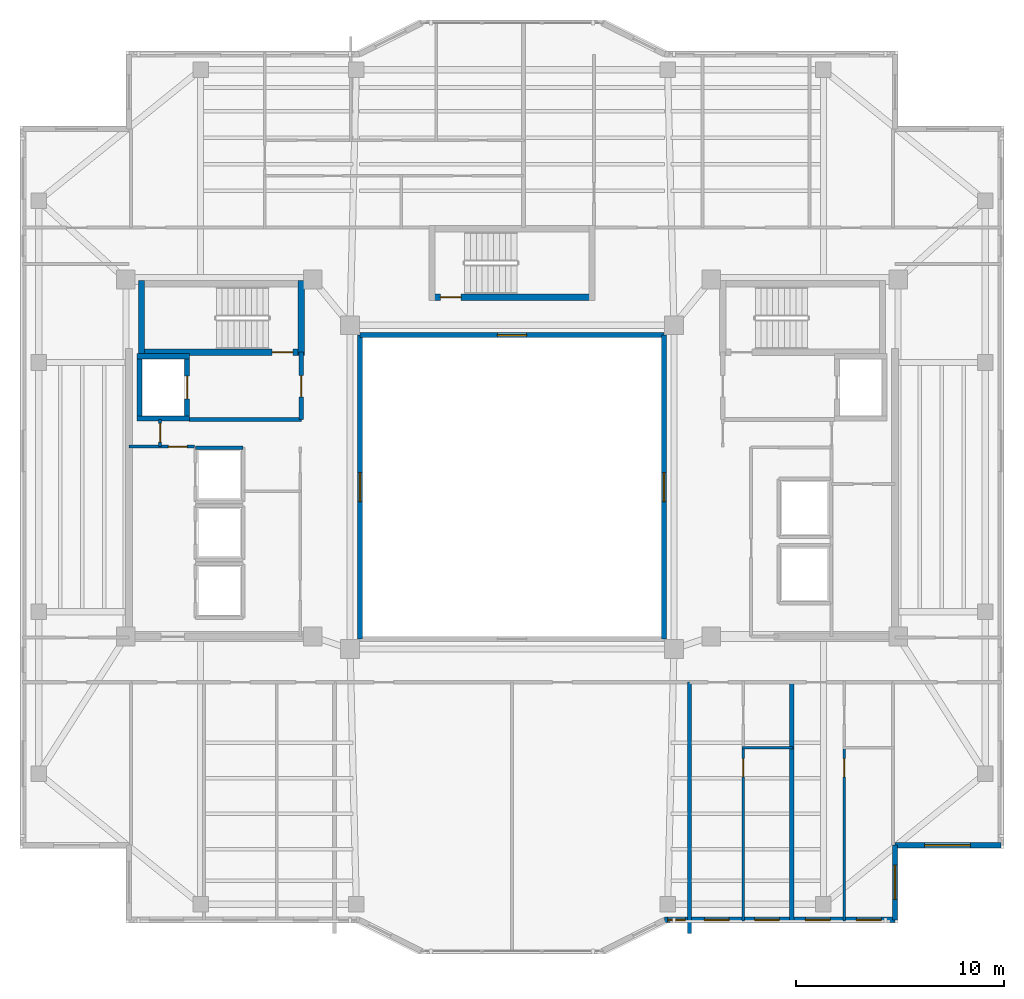
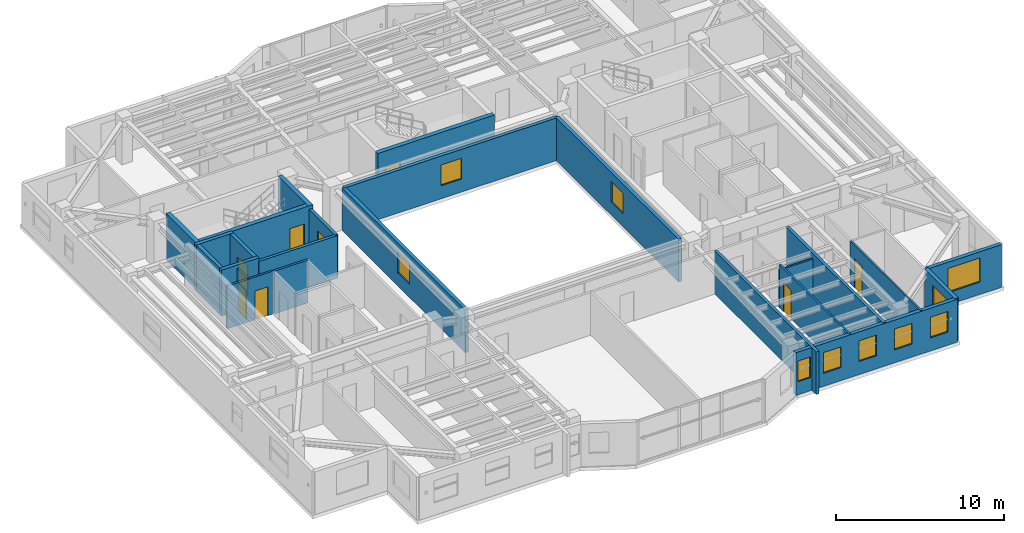
# One storey, part 7 of 13: 24 walls, 10 windows, 8 doors, 18 openings.
"""IFC4 building model written with IfcOpenShell, lengths in metres."""

from ifc_helpers import new_model, si_unit, direction, frame, frame_2d, origin, place, context, subcontext, project, spatial, rectangle, extrude, material, layer, layer_set, type_object, element, fill, save


model = new_model("IFC4")

# Units and contexts
model_context = context("Model", 3, precision=1e-05, world=origin(), true_north=direction((0.0, 1.0)))
body_context = subcontext(model_context, "Body", "Model", "MODEL_VIEW")
ifc_project = project(units=[si_unit("LENGTHUNIT", "METRE"), si_unit("AREAUNIT", "SQUARE_METRE"), si_unit("VOLUMEUNIT", "CUBIC_METRE"), si_unit("PLANEANGLEUNIT", "RADIAN"), si_unit("MASSUNIT", "GRAM", prefix="KILO")], contexts=[model_context])

# Site, building, storey
site_placement = place(None, origin())
site = spatial("IfcSite", under=ifc_project, at=site_placement, CompositionType="ELEMENT")
building_placement = place(site_placement, origin())
building = spatial("IfcBuilding", under=site, at=building_placement, Name="Tarnavaz Court Tower", CompositionType="ELEMENT")
storey_placement = place(building_placement, frame((0.0, 0.0, 196.949951171875)))
storey = spatial("IfcBuildingStorey", under=building, at=storey_placement, Name="L53", CompositionType="ELEMENT", Elevation=196.949951171875)

# Wall
ifc_material_1 = material(Name="Concrete C50/60", Category="concrete")
ifc_layer_1 = layer(ifc_material_1, 0.25)
ifc_layer_set_1 = layer_set([ifc_layer_1], Name="Concrete C50/60")
wall_type_1 = type_object("IfcWallType", Name="WL-CORE-250-C50", PredefinedType="SHEAR", material=ifc_layer_set_1)
wall_1_placement = place(storey_placement, frame((-17.949951171875, 3.175048828125, 0.0), z_axis=(0.0, 0.0, 1.0), x_axis=(0.0, 1.0, 0.0)))
element("IfcWall", 1, at=wall_1_placement, inside=storey, type_object=wall_type_1, Name="L53 Lift FL-W1 Shaft Wall 017", PredefinedType="SHEAR", context=body_context, shape_type="SweptSolid", body=[
    extrude(rectangle(XDim=3.25, YDim=0.25, at=frame_2d((1.625, 0.0))), origin(), (0.0, 0.0, 1.0), 3.35009765625),
])

# Wall, opening, door
wall_2_placement = place(storey_placement, frame((-15.64990234375, 3.175048828125, 0.0), z_axis=(0.0, 0.0, 1.0), x_axis=(0.0, 1.0, 0.0)))
wall_2 = element("IfcWall", 2, at=wall_2_placement, inside=storey, type_object=wall_type_1, Name="L53 Lift FL-W1 Shaft Wall 018", PredefinedType="SHEAR", context=body_context, shape_type="SweptSolid", body=[
    extrude(rectangle(XDim=3.25, YDim=0.25, at=frame_2d((1.625, 0.0))), origin(), (0.0, 0.0, 1.0), 3.35009765625),
])
opening_1_placement = place(wall_2_placement, frame((1.074951171875, 0.0, 0.0)))
opening_1 = element("IfcOpeningElement", 3, at=opening_1_placement, cuts=wall_2, Name="Opening LD1", PredefinedType="OPENING", context=body_context, shape_type="SweptSolid", body=[
    extrude(rectangle(XDim=1.10009765625, YDim=2.14990234375, at=frame_2d((0.550048828125, 1.074951171875))), frame((0.0, 0.135009765625, 0.0), z_axis=(0.0, -1.0, 0.0), x_axis=(1.0, 0.0, 0.0)), (0.0, 0.0, 1.0), 0.27001953125),
])
ifc_material_2 = material(Name="Stainless Steel", Category="steel")
door_type_1 = type_object("IfcDoorType", Name="DR-LD-1100", OperationType="NOTDEFINED", PredefinedType="DOOR", material=ifc_material_2)
door_1_placement = place(opening_1_placement, origin())
door_1 = element("IfcDoor", 4, at=door_1_placement, inside=storey, type_object=door_type_1, Name="L53 Lift Landing Door LD-FL-W1", OperationType="SLIDING_TO_LEFT", OverallHeight=2.14990234375, OverallWidth=1.10009765625, PredefinedType="DOOR", context=body_context, shape_type="SweptSolid", body=[
    extrude(rectangle(XDim=1.10009765625, YDim=2.14990234375, at=frame_2d((0.550048828125, 1.074951171875))), frame((0.0, 0.02490234375, 0.0), z_axis=(0.0, -1.0, 0.0), x_axis=(1.0, 0.0, 0.0)), (0.0, 0.0, 1.0), 0.050048828125),
])
fill(opening_1, door_1)

# Walls
for number, where, z_axis, x_axis, name in (
    (5, (-18.074951171875, 3.300048828125, 0.0), (0.0, 0.0, 1.0), (1.0, 0.0, 0.0), "L53 Lift FL-W1 Shaft Wall 019"),
    (6, (-18.074951171875, 6.300048828125, 0.0), (0.0, 0.0, 1.0), (1.0, 0.0, 0.0), "L53 Lift FL-W1 Shaft Wall 020"),
):
    element("IfcWall", number, at=place(storey_placement, frame(where, z_axis=z_axis, x_axis=x_axis)), inside=storey, type_object=wall_type_1, Name=name, PredefinedType="SHEAR", context=body_context, shape_type="SweptSolid", body=[
        extrude(rectangle(XDim=2.550048828125, YDim=0.25, at=frame_2d((1.27490234375, 0.0))), origin(), (0.0, 0.0, 1.0), 3.35009765625),
    ])

# Wall, opening, door
ifc_layer_2 = layer(ifc_material_1, 0.300048828125)
ifc_layer_set_2 = layer_set([ifc_layer_2], Name="Concrete C50/60")
wall_type_2 = type_object("IfcWallType", Name="WL-CORE-300-C50", PredefinedType="SHEAR", material=ifc_layer_set_2)
wall_3_placement = place(storey_placement, frame((-18.0, 6.5, 0.0), z_axis=(0.0, 0.0, 1.0), x_axis=(1.0, 0.0, 0.0)))
wall_3 = element("IfcWall", 7, at=wall_3_placement, inside=storey, type_object=wall_type_2, Name="L53 West Stair Core Wall 002", PredefinedType="SHEAR", context=body_context, shape_type="SweptSolid", body=[
    extrude(rectangle(XDim=8.0, YDim=0.300048828125, at=frame_2d((4.0, 0.0))), origin(), (0.0, 0.0, 1.0), 3.35009765625),
])
opening_2_placement = place(wall_3_placement, frame((6.449951171875, 0.0, 0.0)))
opening_2 = element("IfcOpeningElement", 8, at=opening_2_placement, cuts=wall_3, Name="Opening D01", PredefinedType="OPENING", context=body_context, shape_type="SweptSolid", body=[
    extrude(rectangle(XDim=1.0, YDim=2.14990234375, at=frame_2d((0.5, 1.074951171875))), frame((0.0, 0.159912109375, 0.0), z_axis=(0.0, -1.0, 0.0), x_axis=(1.0, 0.0, 0.0)), (0.0, 0.0, 1.0), 0.320068359375),
])
ifc_material_3 = material(Name="Fire-Rated Hardwood Timber Core", Category="wood")
door_type_2 = type_object("IfcDoorType", Name="DR-FD90-1000", OperationType="NOTDEFINED", PredefinedType="DOOR", material=ifc_material_3)
door_2_placement = place(opening_2_placement, origin())
door_2 = element("IfcDoor", 9, at=door_2_placement, inside=storey, type_object=door_type_2, Name="L53 Stair ST-W1 Exit Door", OperationType="SINGLE_SWING_LEFT", OverallHeight=2.14990234375, OverallWidth=1.0, PredefinedType="DOOR", context=body_context, shape_type="SweptSolid", body=[
    extrude(rectangle(XDim=1.0, YDim=2.14990234375, at=frame_2d((0.5, 1.074951171875))), frame((0.0, 0.02490234375, 0.0), z_axis=(0.0, -1.0, 0.0), x_axis=(1.0, 0.0, 0.0)), (0.0, 0.0, 1.0), 0.050048828125),
])
fill(opening_2, door_2)

# Walls
for number, where, z_axis, x_axis, name in (
    (10, (-17.85009765625, 6.35009765625, 0.0), (0.0, 0.0, 1.0), (0.0, 1.0, 0.0), "L53 West Stair Core Wall 003"),
    (11, (-10.14990234375, 6.35009765625, 0.0), (0.0, 0.0, 1.0), (0.0, 1.0, 0.0), "L53 West Stair Core Wall 004"),
):
    element("IfcWall", number, at=place(storey_placement, frame(where, z_axis=z_axis, x_axis=x_axis)), inside=storey, type_object=wall_type_2, Name=name, PredefinedType="SHEAR", context=body_context, shape_type="SweptSolid", body=[
        extrude(rectangle(XDim=3.58984375, YDim=0.300048828125, at=frame_2d((1.794921875, 0.0))), origin(), (0.0, 0.0, 1.0), 3.35009765625),
    ])

# Wall, opening, door
wall_4_placement = place(storey_placement, frame((-4.0, 9.14990234375, 0.0), z_axis=(0.0, 0.0, 1.0), x_axis=(1.0, 0.0, 0.0)))
wall_4 = element("IfcWall", 12, at=wall_4_placement, inside=storey, type_object=wall_type_2, Name="L53 North Stair Core Wall 010", PredefinedType="SHEAR", context=body_context, shape_type="SweptSolid", body=[
    extrude(rectangle(XDim=8.0, YDim=0.300048828125, at=frame_2d((4.0, 0.0))), origin(), (0.0, 0.0, 1.0), 3.35009765625),
])
opening_3_placement = place(wall_4_placement, frame((0.550048828125, 0.0, 0.0)))
opening_3 = element("IfcOpeningElement", 13, at=opening_3_placement, cuts=wall_4, Name="Opening D01", PredefinedType="OPENING", context=body_context, shape_type="SweptSolid", body=[
    extrude(rectangle(XDim=1.0, YDim=2.14990234375, at=frame_2d((0.5, 1.074951171875))), frame((0.0, 0.159912109375, 0.0), z_axis=(0.0, -1.0, 0.0), x_axis=(1.0, 0.0, 0.0)), (0.0, 0.0, 1.0), 0.320068359375),
])
door_3_placement = place(opening_3_placement, origin())
door_3 = element("IfcDoor", 14, at=door_3_placement, inside=storey, type_object=door_type_2, Name="L53 Stair ST-N1 Exit Door", OperationType="SINGLE_SWING_LEFT", OverallHeight=2.14990234375, OverallWidth=1.0, PredefinedType="DOOR", context=body_context, shape_type="SweptSolid", body=[
    extrude(rectangle(XDim=1.0, YDim=2.14990234375, at=frame_2d((0.5, 1.074951171875))), frame((0.0, 0.02490234375, 0.0), z_axis=(0.0, -1.0, 0.0), x_axis=(1.0, 0.0, 0.0)), (0.0, 0.0, 1.0), 0.050048828125),
])
fill(opening_3, door_3)

# Wall, opening, window
ifc_material_4 = material(Name="Precast Concrete C40/50", Category="concrete")
ifc_layer_3 = layer(ifc_material_4, 0.260009765625)
ifc_layer_set_3 = layer_set([ifc_layer_3], Name="Precast Concrete C40/50")
wall_type_3 = type_object("IfcWallType", Name="WL-EXT-260", PredefinedType="SOLIDWALL", material=ifc_layer_set_3)
wall_5_placement = place(storey_placement, frame((23.550048828125, -17.25, 0.0), z_axis=(0.0, 0.0, 1.0), x_axis=(-1.0, 0.0, 0.0)))
wall_5 = element("IfcWall", 15, at=wall_5_placement, inside=storey, type_object=wall_type_3, Name="L53 Exterior Terracotta Facade Wall 13", PredefinedType="SOLIDWALL", context=body_context, shape_type="SweptSolid", body=[
    extrude(rectangle(XDim=5.10009765625, YDim=0.260009765625, at=frame_2d((2.550048828125, 0.0))), origin(), (0.0, 0.0, 1.0), 3.10009765625),
])
opening_4_placement = place(wall_5_placement, frame((1.47509765625, 0.0, 0.89990234375)))
opening_4 = element("IfcOpeningElement", 16, at=opening_4_placement, cuts=wall_5, Name="Opening W07", PredefinedType="OPENING", context=body_context, shape_type="SweptSolid", body=[
    extrude(rectangle(XDim=2.199951171875, YDim=1.75, at=frame_2d((1.10009765625, 0.875))), frame((0.0, 0.139892578125, 0.0), z_axis=(0.0, -1.0, 0.0), x_axis=(1.0, 0.0, 0.0)), (0.0, 0.0, 1.0), 0.280029296875),
])
ifc_material_5 = material(Name="Double-Glazed Solar Low-E Glass", Category="glass")
window_type_1 = type_object("IfcWindowType", Name="WN-APT-2200", PartitioningType="TRIPLE_PANEL_VERTICAL", PredefinedType="WINDOW", material=ifc_material_5)
window_1_placement = place(opening_4_placement, origin())
window_1 = element("IfcWindow", 17, at=window_1_placement, inside=storey, type_object=window_type_1, Name="L53 South-East Corner Reading Room Window", OverallHeight=1.75, OverallWidth=2.199951171875, PartitioningType="SINGLE_PANEL", PredefinedType="WINDOW", context=body_context, shape_type="SweptSolid", body=[
    extrude(rectangle(XDim=2.199951171875, YDim=1.75, at=frame_2d((1.10009765625, 0.875))), frame((0.0, 0.030029296875, 0.0), z_axis=(0.0, -1.0, 0.0), x_axis=(1.0, 0.0, 0.0)), (0.0, 0.0, 1.0), 0.06005859375),
])
fill(opening_4, window_1)

wall_6_placement = place(storey_placement, frame((18.449951171875, -17.25, 0.0), z_axis=(0.0, 0.0, 1.0), x_axis=(0.0, -1.0, 0.0)))
wall_6 = element("IfcWall", 18, at=wall_6_placement, inside=storey, type_object=wall_type_3, Name="L53 Exterior Terracotta Facade Wall 14", PredefinedType="SOLIDWALL", context=body_context, shape_type="SweptSolid", body=[
    extrude(rectangle(XDim=3.60009765625, YDim=0.260009765625, at=frame_2d((1.800048828125, 0.0))), origin(), (0.0, 0.0, 1.0), 3.10009765625),
])
opening_5_placement = place(wall_6_placement, frame((0.95751953125, 0.0, 0.89990234375)))
opening_5 = element("IfcOpeningElement", 19, at=opening_5_placement, cuts=wall_6, Name="Opening W02", PredefinedType="OPENING", context=body_context, shape_type="SweptSolid", body=[
    extrude(rectangle(XDim=1.64990234375, YDim=1.60009765625, at=frame_2d((0.824951171875, 0.800048828125))), frame((0.0, 0.139892578125, 0.0), z_axis=(0.0, -1.0, 0.0), x_axis=(1.0, 0.0, 0.0)), (0.0, 0.0, 1.0), 0.280029296875),
])
window_type_2 = type_object("IfcWindowType", Name="WN-APT-1650", PartitioningType="DOUBLE_PANEL_VERTICAL", PredefinedType="WINDOW", material=ifc_material_5)
window_2_placement = place(opening_5_placement, origin())
window_2 = element("IfcWindow", 20, at=window_2_placement, inside=storey, type_object=window_type_2, Name="L53 Flat 03 Kitchen Window", OverallHeight=1.60009765625, OverallWidth=1.64990234375, PartitioningType="SINGLE_PANEL", PredefinedType="WINDOW", context=body_context, shape_type="SweptSolid", body=[
    extrude(rectangle(XDim=1.64990234375, YDim=1.60009765625, at=frame_2d((0.824951171875, 0.800048828125))), frame((0.0, 0.030029296875, 0.0), z_axis=(0.0, -1.0, 0.0), x_axis=(1.0, 0.0, 0.0)), (0.0, 0.0, 1.0), 0.06005859375),
])
fill(opening_5, window_2)

# Wall, openings, windows
wall_7_placement = place(storey_placement, frame((18.449951171875, -20.85009765625, 0.0), z_axis=(0.0, 0.0, 1.0), x_axis=(-1.0, 0.0, 0.0)))
wall_7 = element("IfcWall", 21, at=wall_7_placement, inside=storey, type_object=wall_type_3, Name="L53 Exterior Terracotta Facade Wall 15", PredefinedType="SOLIDWALL", context=body_context, shape_type="SweptSolid", body=[
    extrude(rectangle(XDim=11.099853515625, YDim=0.260009765625, at=frame_2d((5.5498046875, 0.0))), origin(), (0.0, 0.0, 1.0), 3.10009765625),
])
opening_6_placement = place(wall_7_placement, frame((0.65576171875, 0.0, 0.949951171875)))
opening_6 = element("IfcOpeningElement", 22, at=opening_6_placement, cuts=wall_7, Name="Opening W05", PredefinedType="OPENING", context=body_context, shape_type="SweptSolid", body=[
    extrude(rectangle(XDim=1.199951171875, YDim=1.5, at=frame_2d((0.60009765625, 0.75))), frame((0.0, 0.139892578125, 0.0), z_axis=(0.0, -1.0, 0.0), x_axis=(1.0, 0.0, 0.0)), (0.0, 0.0, 1.0), 0.280029296875),
])
opening_7_placement = place(wall_7_placement, frame((3.11669921875, 0.0, 0.949951171875)))
opening_7 = element("IfcOpeningElement", 23, at=opening_7_placement, cuts=wall_7, Name="Opening W05", PredefinedType="OPENING", context=body_context, shape_type="SweptSolid", body=[
    extrude(rectangle(XDim=1.199951171875, YDim=1.5, at=frame_2d((0.60009765625, 0.75))), frame((0.0, 0.139892578125, 0.0), z_axis=(0.0, -1.0, 0.0), x_axis=(1.0, 0.0, 0.0)), (0.0, 0.0, 1.0), 0.280029296875),
])
opening_8_placement = place(wall_7_placement, frame((5.56591796875, 0.0, 0.949951171875)))
opening_8 = element("IfcOpeningElement", 24, at=opening_8_placement, cuts=wall_7, Name="Opening W05", PredefinedType="OPENING", context=body_context, shape_type="SweptSolid", body=[
    extrude(rectangle(XDim=1.199951171875, YDim=1.5, at=frame_2d((0.60009765625, 0.75))), frame((0.0, 0.139892578125, 0.0), z_axis=(0.0, -1.0, 0.0), x_axis=(1.0, 0.0, 0.0)), (0.0, 0.0, 1.0), 0.280029296875),
])
opening_9_placement = place(wall_7_placement, frame((7.98876953125, 0.0, 0.949951171875)))
opening_9 = element("IfcOpeningElement", 25, at=opening_9_placement, cuts=wall_7, Name="Opening W05", PredefinedType="OPENING", context=body_context, shape_type="SweptSolid", body=[
    extrude(rectangle(XDim=1.199951171875, YDim=1.5, at=frame_2d((0.60009765625, 0.75))), frame((0.0, 0.139892578125, 0.0), z_axis=(0.0, -1.0, 0.0), x_axis=(1.0, 0.0, 0.0)), (0.0, 0.0, 1.0), 0.280029296875),
])
opening_10_placement = place(wall_7_placement, frame((10.1025390625, 0.0, 0.949951171875)))
opening_10 = element("IfcOpeningElement", 26, at=opening_10_placement, cuts=wall_7, Name="Opening W15", PredefinedType="OPENING", context=body_context, shape_type="SweptSolid", body=[
    extrude(rectangle(XDim=0.85009765625, YDim=1.5, at=frame_2d((0.425048828125, 0.75))), frame((0.0, 0.139892578125, 0.0), z_axis=(0.0, -1.0, 0.0), x_axis=(1.0, 0.0, 0.0)), (0.0, 0.0, 1.0), 0.280029296875),
])
window_type_3 = type_object("IfcWindowType", Name="WN-APT-1200", PartitioningType="SINGLE_PANEL", PredefinedType="WINDOW", material=ifc_material_5)
window_3_placement = place(opening_6_placement, origin())
window_3 = element("IfcWindow", 27, at=window_3_placement, inside=storey, type_object=window_type_3, Name="L53 Flat 03 Kitchen Window", OverallHeight=1.5, OverallWidth=1.199951171875, PartitioningType="SINGLE_PANEL", PredefinedType="WINDOW", context=body_context, shape_type="SweptSolid", body=[
    extrude(rectangle(XDim=1.199951171875, YDim=1.5, at=frame_2d((0.60009765625, 0.75))), frame((0.0, 0.030029296875, 0.0), z_axis=(0.0, -1.0, 0.0), x_axis=(1.0, 0.0, 0.0)), (0.0, 0.0, 1.0), 0.06005859375),
])
fill(opening_6, window_3)
window_4_placement = place(opening_7_placement, origin())
window_4 = element("IfcWindow", 28, at=window_4_placement, inside=storey, type_object=window_type_3, Name="L53 Flat 03 Studio Living and Sleeping Room Window", OverallHeight=1.5, OverallWidth=1.199951171875, PartitioningType="SINGLE_PANEL", PredefinedType="WINDOW", context=body_context, shape_type="SweptSolid", body=[
    extrude(rectangle(XDim=1.199951171875, YDim=1.5, at=frame_2d((0.60009765625, 0.75))), frame((0.0, 0.030029296875, 0.0), z_axis=(0.0, -1.0, 0.0), x_axis=(1.0, 0.0, 0.0)), (0.0, 0.0, 1.0), 0.06005859375),
])
fill(opening_7, window_4)
window_5_placement = place(opening_8_placement, origin())
window_5 = element("IfcWindow", 29, at=window_5_placement, inside=storey, type_object=window_type_3, Name="L53 Flat 02 Kitchen Window", OverallHeight=1.5, OverallWidth=1.199951171875, PartitioningType="SINGLE_PANEL", PredefinedType="WINDOW", context=body_context, shape_type="SweptSolid", body=[
    extrude(rectangle(XDim=1.199951171875, YDim=1.5, at=frame_2d((0.60009765625, 0.75))), frame((0.0, 0.030029296875, 0.0), z_axis=(0.0, -1.0, 0.0), x_axis=(1.0, 0.0, 0.0)), (0.0, 0.0, 1.0), 0.06005859375),
])
fill(opening_8, window_5)
window_6_placement = place(opening_9_placement, origin())
window_6 = element("IfcWindow", 30, at=window_6_placement, inside=storey, type_object=window_type_3, Name="L53 Flat 02 Studio Living and Sleeping Room Window", OverallHeight=1.5, OverallWidth=1.199951171875, PartitioningType="SINGLE_PANEL", PredefinedType="WINDOW", context=body_context, shape_type="SweptSolid", body=[
    extrude(rectangle(XDim=1.199951171875, YDim=1.5, at=frame_2d((0.60009765625, 0.75))), frame((0.0, 0.030029296875, 0.0), z_axis=(0.0, -1.0, 0.0), x_axis=(1.0, 0.0, 0.0)), (0.0, 0.0, 1.0), 0.06005859375),
])
fill(opening_9, window_6)
window_type_4 = type_object("IfcWindowType", Name="WN-APT-850", PartitioningType="SINGLE_PANEL", PredefinedType="WINDOW", material=ifc_material_5)
window_7_placement = place(opening_10_placement, origin())
window_7 = element("IfcWindow", 31, at=window_7_placement, inside=storey, type_object=window_type_4, Name="L53 South Courtyard Reading Room Window", OverallHeight=1.5, OverallWidth=0.85009765625, PartitioningType="SINGLE_PANEL", PredefinedType="WINDOW", context=body_context, shape_type="SweptSolid", body=[
    extrude(rectangle(XDim=0.85009765625, YDim=1.5, at=frame_2d((0.425048828125, 0.75))), frame((0.0, 0.030029296875, 0.0), z_axis=(0.0, -1.0, 0.0), x_axis=(1.0, 0.0, 0.0)), (0.0, 0.0, 1.0), 0.06005859375),
])
fill(opening_10, window_7)

# Wall
ifc_material_6 = material(Name="Autoclaved Aerated Concrete Blockwork", Category="masonry")
ifc_layer_4 = layer(ifc_material_6, 0.199951171875)
ifc_layer_set_4 = layer_set([ifc_layer_4], Name="Autoclaved Aerated Concrete Blockwork")
wall_type_4 = type_object("IfcWallType", Name="WL-FIRE-200", PredefinedType="SOLIDWALL", material=ifc_layer_set_4)
wall_8_placement = place(storey_placement, frame((-15.550048828125, 3.25, 0.0), z_axis=(0.0, 0.0, 1.0), x_axis=(1.0, 0.0, 0.0)))
element("IfcWall", 32, at=wall_8_placement, inside=storey, type_object=wall_type_4, Name="L53 West Firefighting Lobby Wall 013", PredefinedType="SOLIDWALL", context=body_context, shape_type="SweptSolid", body=[
    extrude(rectangle(XDim=5.400146484375, YDim=0.199951171875, at=frame_2d((2.7001953125, 0.0))), origin(), (0.0, 0.0, 1.0), 3.10009765625),
])

# Wall, opening, door
wall_9_placement = place(storey_placement, frame((-10.14990234375, 3.25, 0.0), z_axis=(0.0, 0.0, 1.0), x_axis=(0.0, 1.0, 0.0)))
wall_9 = element("IfcWall", 33, at=wall_9_placement, inside=storey, type_object=wall_type_4, Name="L53 West Firefighting Lobby Wall 014", PredefinedType="SOLIDWALL", context=body_context, shape_type="SweptSolid", body=[
    extrude(rectangle(XDim=3.25, YDim=0.199951171875, at=frame_2d((1.625, 0.0))), origin(), (0.0, 0.0, 1.0), 3.10009765625),
])
opening_11_placement = place(wall_9_placement, frame((1.10009765625, 0.0, 0.0)))
opening_11 = element("IfcOpeningElement", 34, at=opening_11_placement, cuts=wall_9, Name="Opening D05", PredefinedType="OPENING", context=body_context, shape_type="SweptSolid", body=[
    extrude(rectangle(XDim=1.02001953125, YDim=2.14990234375, at=frame_2d((0.510009765625, 1.074951171875))), frame((0.0, 0.10986328125, 0.0), z_axis=(0.0, -1.0, 0.0), x_axis=(1.0, 0.0, 0.0)), (0.0, 0.0, 1.0), 0.219970703125),
])
door_type_3 = type_object("IfcDoorType", Name="DR-FD60-1000", OperationType="NOTDEFINED", PredefinedType="DOOR", material=ifc_material_3)
door_4_placement = place(opening_11_placement, origin())
door_4 = element("IfcDoor", 35, at=door_4_placement, inside=storey, type_object=door_type_3, Name="L53 West Firefighting Lobby Door", OperationType="SINGLE_SWING_RIGHT", OverallHeight=2.14990234375, OverallWidth=1.02001953125, PredefinedType="DOOR", context=body_context, shape_type="SweptSolid", body=[
    extrude(rectangle(XDim=1.02001953125, YDim=2.14990234375, at=frame_2d((0.510009765625, 1.074951171875))), frame((0.0, 0.02490234375, 0.0), z_axis=(0.0, -1.0, 0.0), x_axis=(1.0, 0.0, 0.0)), (0.0, 0.0, 1.0), 0.050048828125),
])
fill(opening_11, door_4)

# Walls
wall_10_placement = place(storey_placement, frame((13.47509765625, -20.89990234375, 0.0), z_axis=(0.0, 0.0, 1.0), x_axis=(0.0, 1.0, 0.0)))
element("IfcWall", 36, at=wall_10_placement, inside=storey, type_object=wall_type_4, Name="L53 Party Wall 077", PredefinedType="SOLIDWALL", context=body_context, shape_type="SweptSolid", body=[
    extrude(rectangle(XDim=11.5, YDim=0.199951171875, at=frame_2d((5.75, 0.0))), origin(), (0.0, 0.0, 1.0), 3.10009765625),
])
wall_11_placement = place(storey_placement, frame((8.550048828125, -21.50390625, 0.0), z_axis=(0.0, 0.0, 1.0), x_axis=(0.0, 1.0, 0.0)))
element("IfcWall", 37, at=wall_11_placement, inside=storey, type_object=wall_type_4, Name="L53 Party Wall 085", PredefinedType="SOLIDWALL", context=body_context, shape_type="SweptSolid", body=[
    extrude(rectangle(XDim=12.10400390625, YDim=0.199951171875, at=frame_2d((6.052001953125, 0.0))), origin(), (0.0, 0.0, 1.0), 3.10009765625),
])

# Wall, opening, door
ifc_material_7 = material(Name="Moisture-Resistant Gypsum Board Partition", Category="masonry")
ifc_layer_5 = layer(ifc_material_7, 0.1201171875)
ifc_layer_set_5 = layer_set([ifc_layer_5], Name="Moisture-Resistant Gypsum Board Partition")
wall_type_5 = type_object("IfcWallType", Name="WL-PART-120", PredefinedType="PARTITIONING", material=ifc_layer_set_5)
wall_12_placement = place(storey_placement, frame((11.133056640625, -20.89990234375, 0.0), z_axis=(0.0, 0.0, 1.0), x_axis=(0.0, 1.0, 0.0)))
wall_12 = element("IfcWall", 38, at=wall_12_placement, inside=storey, type_object=wall_type_5, Name="L53 Interior Partition 078", PredefinedType="PARTITIONING", context=body_context, shape_type="SweptSolid", body=[
    extrude(rectangle(XDim=8.33984375, YDim=0.1201171875, at=frame_2d((4.169921875, 0.0))), origin(), (0.0, 0.0, 1.0), 3.10009765625),
])
opening_12_placement = place(wall_12_placement, frame((6.93994140625, 0.0, 0.0)))
opening_12 = element("IfcOpeningElement", 39, at=opening_12_placement, cuts=wall_12, Name="Opening D14", PredefinedType="OPENING", context=body_context, shape_type="SweptSolid", body=[
    extrude(rectangle(XDim=0.8798828125, YDim=2.10009765625, at=frame_2d((0.43994140625, 1.050048828125))), frame((0.0, 0.070068359375, 0.0), z_axis=(0.0, -1.0, 0.0), x_axis=(1.0, 0.0, 0.0)), (0.0, 0.0, 1.0), 0.14013671875),
])
ifc_material_8 = material(Name="Engineered Oak Timber", Category="wood")
door_type_4 = type_object("IfcDoorType", Name="DR-INT-900", OperationType="NOTDEFINED", PredefinedType="DOOR", material=ifc_material_8)
door_5_placement = place(opening_12_placement, origin())
door_5 = element("IfcDoor", 40, at=door_5_placement, inside=storey, type_object=door_type_4, Name="L53 Flat 02 Kitchen Door", OperationType="SINGLE_SWING_LEFT", OverallHeight=2.10009765625, OverallWidth=0.8798828125, PredefinedType="DOOR", context=body_context, shape_type="SweptSolid", body=[
    extrude(rectangle(XDim=0.8798828125, YDim=2.10009765625, at=frame_2d((0.43994140625, 1.050048828125))), frame((0.0, 0.02490234375, 0.0), z_axis=(0.0, -1.0, 0.0), x_axis=(1.0, 0.0, 0.0)), (0.0, 0.0, 1.0), 0.050048828125),
])
fill(opening_12, door_5)

# Wall
wall_13_placement = place(storey_placement, frame((11.072998046875, -12.56005859375, 0.0), z_axis=(0.0, 0.0, 1.0), x_axis=(1.0, 0.0, 0.0)))
element("IfcWall", 41, at=wall_13_placement, inside=storey, type_object=wall_type_5, Name="L53 Interior Partition 080", PredefinedType="PARTITIONING", context=body_context, shape_type="SweptSolid", body=[
    extrude(rectangle(XDim=2.4619140625, YDim=0.1201171875, at=frame_2d((1.23095703125, 0.0))), origin(), (0.0, 0.0, 1.0), 2.72509765625),
])

# Wall, opening, door
wall_14_placement = place(storey_placement, frame((16.008056640625, -20.89990234375, 0.0), z_axis=(0.0, 0.0, 1.0), x_axis=(0.0, 1.0, 0.0)))
wall_14 = element("IfcWall", 42, at=wall_14_placement, inside=storey, type_object=wall_type_5, Name="L53 Interior Partition 081", PredefinedType="PARTITIONING", context=body_context, shape_type="SweptSolid", body=[
    extrude(rectangle(XDim=8.33984375, YDim=0.1201171875, at=frame_2d((4.169921875, 0.0))), origin(), (0.0, 0.0, 1.0), 3.10009765625),
])
opening_13_placement = place(wall_14_placement, frame((6.93994140625, 0.0, 0.0)))
opening_13 = element("IfcOpeningElement", 43, at=opening_13_placement, cuts=wall_14, Name="Opening D14", PredefinedType="OPENING", context=body_context, shape_type="SweptSolid", body=[
    extrude(rectangle(XDim=0.8798828125, YDim=2.10009765625, at=frame_2d((0.43994140625, 1.050048828125))), frame((0.0, 0.070068359375, 0.0), z_axis=(0.0, -1.0, 0.0), x_axis=(1.0, 0.0, 0.0)), (0.0, 0.0, 1.0), 0.14013671875),
])
door_6_placement = place(opening_13_placement, origin())
door_6 = element("IfcDoor", 44, at=door_6_placement, inside=storey, type_object=door_type_4, Name="L53 Flat 03 Kitchen Door", OperationType="SINGLE_SWING_RIGHT", OverallHeight=2.10009765625, OverallWidth=0.8798828125, PredefinedType="DOOR", context=body_context, shape_type="SweptSolid", body=[
    extrude(rectangle(XDim=0.8798828125, YDim=2.10009765625, at=frame_2d((0.43994140625, 1.050048828125))), frame((0.0, 0.02490234375, 0.0), z_axis=(0.0, -1.0, 0.0), x_axis=(1.0, 0.0, 0.0)), (0.0, 0.0, 1.0), 0.050048828125),
])
fill(opening_13, door_6)

ifc_material_9 = material(Name="Gypsum Plasterboard Acoustic Partition", Category="masonry")
ifc_layer_6 = layer(ifc_material_9, 0.139892578125)
ifc_layer_set_6 = layer_set([ifc_layer_6], Name="Gypsum Plasterboard Acoustic Partition")
wall_type_6 = type_object("IfcWallType", Name="WL-PART-150", PredefinedType="PARTITIONING", material=ifc_layer_set_6)
wall_15_placement = place(storey_placement, frame((-18.449951171875, 1.949951171875, 0.0), z_axis=(0.0, 0.0, 1.0), x_axis=(1.0, 0.0, 0.0)))
wall_15 = element("IfcWall", 45, at=wall_15_placement, inside=storey, type_object=wall_type_6, Name="L53 Interior Partition 049", PredefinedType="PARTITIONING", context=body_context, shape_type="SweptSolid", body=[
    extrude(rectangle(XDim=3.14990234375, YDim=0.139892578125, at=frame_2d((1.574951171875, 0.0))), origin(), (0.0, 0.0, 1.0), 3.10009765625),
])
opening_14_placement = place(wall_15_placement, frame((1.89990234375, 0.0, 0.0)))
opening_14 = element("IfcOpeningElement", 46, at=opening_14_placement, cuts=wall_15, Name="Opening D09", PredefinedType="OPENING", context=body_context, shape_type="SweptSolid", body=[
    extrude(rectangle(XDim=0.89990234375, YDim=2.080078125, at=frame_2d((0.449951171875, 1.0400390625))), frame((0.0, 0.079833984375, 0.0), z_axis=(0.0, -1.0, 0.0), x_axis=(1.0, 0.0, 0.0)), (0.0, 0.0, 1.0), 0.159912109375),
])
door_type_5 = type_object("IfcDoorType", Name="DR-FD30-900", OperationType="NOTDEFINED", PredefinedType="DOOR", material=ifc_material_3)
door_7_placement = place(opening_14_placement, origin())
door_7 = element("IfcDoor", 47, at=door_7_placement, inside=storey, type_object=door_type_5, Name="L53 West Sky Store Door", OperationType="SINGLE_SWING_RIGHT", OverallHeight=2.080078125, OverallWidth=0.89990234375, PredefinedType="DOOR", context=body_context, shape_type="SweptSolid", body=[
    extrude(rectangle(XDim=0.89990234375, YDim=2.080078125, at=frame_2d((0.449951171875, 1.0400390625))), frame((0.0, 0.02490234375, 0.0), z_axis=(0.0, -1.0, 0.0), x_axis=(1.0, 0.0, 0.0)), (0.0, 0.0, 1.0), 0.050048828125),
])
fill(opening_14, door_7)

wall_16_placement = place(storey_placement, frame((-16.949951171875, 1.949951171875, 0.0), z_axis=(0.0, 0.0, 1.0), x_axis=(0.0, 1.0, 0.0)))
wall_16 = element("IfcWall", 48, at=wall_16_placement, inside=storey, type_object=wall_type_6, Name="L53 Interior Partition 050", PredefinedType="PARTITIONING", context=body_context, shape_type="SweptSolid", body=[
    extrude(rectangle(XDim=1.300048828125, YDim=0.139892578125, at=frame_2d((0.64990234375, 0.0))), origin(), (0.0, 0.0, 1.0), 3.10009765625),
])
opening_15_placement = place(wall_16_placement, frame((0.219970703125, 0.0, 0.0)))
opening_15 = element("IfcOpeningElement", 49, at=opening_15_placement, cuts=wall_16, Name="Opening D09", PredefinedType="OPENING", context=body_context, shape_type="SweptSolid", body=[
    extrude(rectangle(XDim=0.89990234375, YDim=2.080078125, at=frame_2d((0.449951171875, 1.0400390625))), frame((0.0, 0.079833984375, 0.0), z_axis=(0.0, -1.0, 0.0), x_axis=(1.0, 0.0, 0.0)), (0.0, 0.0, 1.0), 0.159912109375),
])
door_8_placement = place(opening_15_placement, origin())
door_8 = element("IfcDoor", 50, at=door_8_placement, inside=storey, type_object=door_type_5, Name="L53 West Sky BMS Room Door", OperationType="SINGLE_SWING_LEFT", OverallHeight=2.080078125, OverallWidth=0.89990234375, PredefinedType="DOOR", context=body_context, shape_type="SweptSolid", body=[
    extrude(rectangle(XDim=0.89990234375, YDim=2.080078125, at=frame_2d((0.449951171875, 1.0400390625))), frame((0.0, 0.02490234375, 0.0), z_axis=(0.0, -1.0, 0.0), x_axis=(1.0, 0.0, 0.0)), (0.0, 0.0, 1.0), 0.050048828125),
])
fill(opening_15, door_8)

# Wall
ifc_layer_7 = layer(ifc_material_6, 0.159912109375)
ifc_layer_set_7 = layer_set([ifc_layer_7], Name="Autoclaved Aerated Concrete Blockwork")
wall_type_7 = type_object("IfcWallType", Name="WL-SHAFT-150", PredefinedType="SOLIDWALL", material=ifc_layer_set_7)
wall_17_placement = place(storey_placement, frame((-15.25, 1.89990234375, 0.0), z_axis=(0.0, 0.0, 1.0), x_axis=(1.0, 0.0, 0.0)))
element("IfcWall", 51, at=wall_17_placement, inside=storey, type_object=wall_type_7, Name="L53 Lift PL-H3 Shaft Wall 032", PredefinedType="SOLIDWALL", context=body_context, shape_type="SweptSolid", body=[
    extrude(rectangle(XDim=2.300048828125, YDim=0.159912109375, at=frame_2d((1.14990234375, 0.0))), origin(), (0.0, 0.0, 1.0), 3.10009765625),
])

# Wall, opening, window
ifc_layer_8 = layer(ifc_material_4, 0.239990234375)
ifc_layer_set_8 = layer_set([ifc_layer_8], Name="Precast Concrete C40/50")
wall_type_8 = type_object("IfcWallType", Name="WL-WELL-240", PredefinedType="SOLIDWALL", material=ifc_layer_set_8)
wall_18_placement = place(storey_placement, frame((7.320068359375, -7.320068359375, 0.0), z_axis=(0.0, 0.0, 1.0), x_axis=(0.0, 1.0, 0.0)))
wall_18 = element("IfcWall", 52, at=wall_18_placement, inside=storey, type_object=wall_type_8, Name="L53 Badgir Light-Well Exterior Wall E", PredefinedType="SOLIDWALL", context=body_context, shape_type="SweptSolid", body=[
    extrude(rectangle(XDim=14.64013671875, YDim=0.239990234375, at=frame_2d((7.320068359375, 0.0))), origin(), (0.0, 0.0, 1.0), 3.10009765625),
])
opening_16_placement = place(wall_18_placement, frame((6.6201171875, 0.0, 0.949951171875)))
opening_16 = element("IfcOpeningElement", 53, at=opening_16_placement, cuts=wall_18, Name="Opening W13", PredefinedType="OPENING", context=body_context, shape_type="SweptSolid", body=[
    extrude(rectangle(XDim=1.39990234375, YDim=1.5, at=frame_2d((0.699951171875, 0.75))), frame((0.0, 0.1298828125, 0.0), z_axis=(0.0, -1.0, 0.0), x_axis=(1.0, 0.0, 0.0)), (0.0, 0.0, 1.0), 0.260009765625),
])
window_type_5 = type_object("IfcWindowType", Name="WN-WEL-1400", PartitioningType="SINGLE_PANEL", PredefinedType="WINDOW", material=ifc_material_5)
window_8_placement = place(opening_16_placement, origin())
window_8 = element("IfcWindow", 54, at=window_8_placement, inside=storey, type_object=window_type_5, Name="L53 Courtyard Gallery Window E", OverallHeight=1.5, OverallWidth=1.39990234375, PartitioningType="SINGLE_PANEL", PredefinedType="WINDOW", context=body_context, shape_type="SweptSolid", body=[
    extrude(rectangle(XDim=1.39990234375, YDim=1.5, at=frame_2d((0.699951171875, 0.75))), frame((0.0, 0.030029296875, 0.0), z_axis=(0.0, -1.0, 0.0), x_axis=(1.0, 0.0, 0.0)), (0.0, 0.0, 1.0), 0.06005859375),
])
fill(opening_16, window_8)

wall_19_placement = place(storey_placement, frame((7.320068359375, 7.320068359375, 0.0), z_axis=(0.0, 0.0, 1.0), x_axis=(-1.0, 0.0, 0.0)))
wall_19 = element("IfcWall", 55, at=wall_19_placement, inside=storey, type_object=wall_type_8, Name="L53 Badgir Light-Well Exterior Wall N", PredefinedType="SOLIDWALL", context=body_context, shape_type="SweptSolid", body=[
    extrude(rectangle(XDim=14.64013671875, YDim=0.239990234375, at=frame_2d((7.320068359375, 0.0))), origin(), (0.0, 0.0, 1.0), 3.10009765625),
])
opening_17_placement = place(wall_19_placement, frame((6.6201171875, 0.0, 0.949951171875)))
opening_17 = element("IfcOpeningElement", 56, at=opening_17_placement, cuts=wall_19, Name="Opening W13", PredefinedType="OPENING", context=body_context, shape_type="SweptSolid", body=[
    extrude(rectangle(XDim=1.39990234375, YDim=1.5, at=frame_2d((0.699951171875, 0.75))), frame((0.0, 0.1298828125, 0.0), z_axis=(0.0, -1.0, 0.0), x_axis=(1.0, 0.0, 0.0)), (0.0, 0.0, 1.0), 0.260009765625),
])
window_9_placement = place(opening_17_placement, origin())
window_9 = element("IfcWindow", 57, at=window_9_placement, inside=storey, type_object=window_type_5, Name="L53 Courtyard Gallery Window N", OverallHeight=1.5, OverallWidth=1.39990234375, PartitioningType="SINGLE_PANEL", PredefinedType="WINDOW", context=body_context, shape_type="SweptSolid", body=[
    extrude(rectangle(XDim=1.39990234375, YDim=1.5, at=frame_2d((0.699951171875, 0.75))), frame((0.0, 0.030029296875, 0.0), z_axis=(0.0, -1.0, 0.0), x_axis=(1.0, 0.0, 0.0)), (0.0, 0.0, 1.0), 0.06005859375),
])
fill(opening_17, window_9)

wall_20_placement = place(storey_placement, frame((-7.320068359375, 7.320068359375, 0.0), z_axis=(0.0, 0.0, 1.0), x_axis=(0.0, -1.0, 0.0)))
wall_20 = element("IfcWall", 58, at=wall_20_placement, inside=storey, type_object=wall_type_8, Name="L53 Badgir Light-Well Exterior Wall W", PredefinedType="SOLIDWALL", context=body_context, shape_type="SweptSolid", body=[
    extrude(rectangle(XDim=14.64013671875, YDim=0.239990234375, at=frame_2d((7.320068359375, 0.0))), origin(), (0.0, 0.0, 1.0), 3.10009765625),
])
opening_18_placement = place(wall_20_placement, frame((6.6201171875, 0.0, 0.949951171875)))
opening_18 = element("IfcOpeningElement", 59, at=opening_18_placement, cuts=wall_20, Name="Opening W13", PredefinedType="OPENING", context=body_context, shape_type="SweptSolid", body=[
    extrude(rectangle(XDim=1.39990234375, YDim=1.5, at=frame_2d((0.699951171875, 0.75))), frame((0.0, 0.1298828125, 0.0), z_axis=(0.0, -1.0, 0.0), x_axis=(1.0, 0.0, 0.0)), (0.0, 0.0, 1.0), 0.260009765625),
])
window_10_placement = place(opening_18_placement, origin())
window_10 = element("IfcWindow", 60, at=window_10_placement, inside=storey, type_object=window_type_5, Name="L53 Courtyard Gallery Window W", OverallHeight=1.5, OverallWidth=1.39990234375, PartitioningType="SINGLE_PANEL", PredefinedType="WINDOW", context=body_context, shape_type="SweptSolid", body=[
    extrude(rectangle(XDim=1.39990234375, YDim=1.5, at=frame_2d((0.699951171875, 0.75))), frame((0.0, 0.030029296875, 0.0), z_axis=(0.0, -1.0, 0.0), x_axis=(1.0, 0.0, 0.0)), (0.0, 0.0, 1.0), 0.06005859375),
])
fill(opening_18, window_10)

save(model, "model.ifc")
